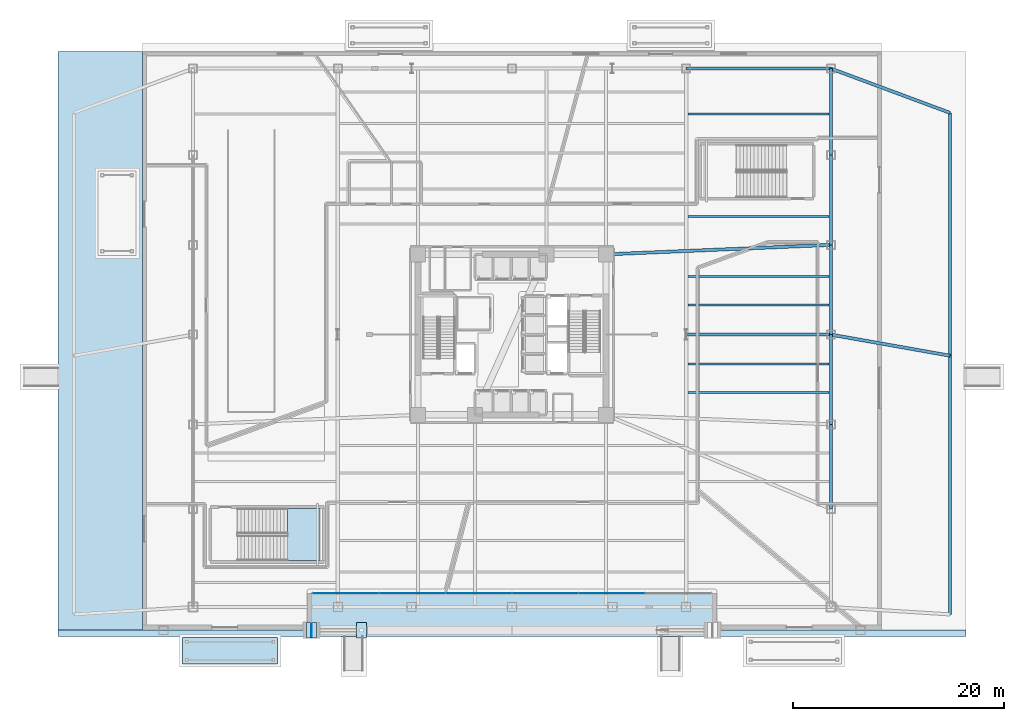
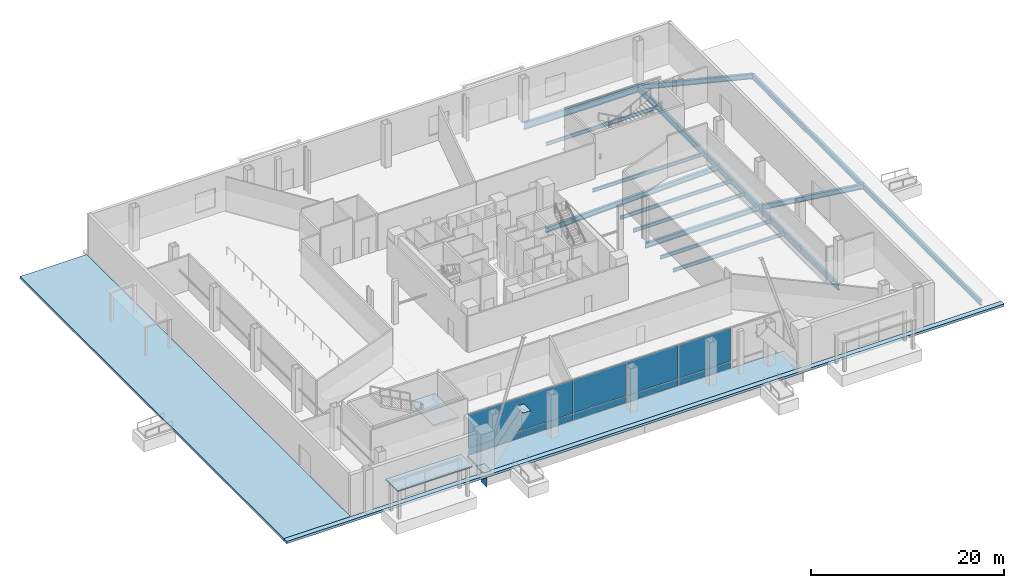
# One storey, part 11 of 27: 18 beams, 13 plates, 5 slabs, 2 elements without a shape of their own.
"""IFC4 building model written with IfcOpenShell, lengths in metres."""

from ifc_helpers import new_model, si_unit, direction, frame, origin, origin_2d, place, context, subcontext, project, spatial, polyline, rectangle, i_section, outline, extrude, material, layer, layer_set, material_profile, profile_set, type_object, element, aggregate, save


model = new_model("IFC4")

# Units and contexts
model_context = context("Model", 3, precision=1e-05, world=origin(), true_north=direction((0.0, 1.0)))
body_context = subcontext(model_context, "Body", "Model", "MODEL_VIEW")
ifc_project = project(units=[si_unit("LENGTHUNIT", "METRE"), si_unit("AREAUNIT", "SQUARE_METRE"), si_unit("VOLUMEUNIT", "CUBIC_METRE"), si_unit("PLANEANGLEUNIT", "RADIAN"), si_unit("MASSUNIT", "GRAM", prefix="KILO")], contexts=[model_context])

# Site, building, storey
site_placement = place(None, origin())
site = spatial("IfcSite", under=ifc_project, at=site_placement, CompositionType="ELEMENT")
building_placement = place(site_placement, origin())
building = spatial("IfcBuilding", under=site, at=building_placement, Name="Tharavind Bronze Gate", CompositionType="ELEMENT")
storey_placement = place(building_placement, origin())
storey = spatial("IfcBuildingStorey", under=building, at=storey_placement, Name="L00", CompositionType="ELEMENT", Elevation=0.0)

# Beams
ifc_material_1 = material(Name="Steel S355", Category="steel")
ifc_material_profile_1 = material_profile(ifc_material_1, i_section(OverallWidth=0.300048828125, OverallDepth=0.64990234375, WebThickness=0.01611328125, FlangeThickness=0.031005859375, at=origin_2d()), Name="HE650B")
ifc_profile_set_1 = profile_set([ifc_material_profile_1], Name="Steel S355")
beam_type_1 = type_object("IfcBeamType", Name="PRIMARY GIRDER HE650B", PredefinedType="USERDEFINED", material=ifc_profile_set_1)
beam_1_placement = place(storey_placement, frame((30.199951171875, 0.0, -0.625), z_axis=(0.984695836534, -0.17428169586, 0.0), x_axis=(0.17428169586, 0.984695836534, 0.0)))
element("IfcBeam", 1, at=beam_1_placement, inside=storey, type_object=beam_type_1, Name="L00 primary girder he650b BM-L00-BEX33", ObjectType="GIRDER", PredefinedType="USERDEFINED", context=body_context, shape_type="SweptSolid", body=[
    extrude(i_section(OverallWidth=0.300048828125, OverallDepth=0.64990234375, WebThickness=0.01611328125, FlangeThickness=0.031005859375, at=origin_2d()), origin(), (0.0, 0.0, 1.0), 11.4755859375),
])
beam_2_placement = place(storey_placement, frame((30.199951171875, 25.199951171875, -0.625), z_axis=(0.937349705603, -0.348389910024, 0.0), x_axis=(0.348389910024, 0.937349705603, 0.0)))
element("IfcBeam", 2, at=beam_2_placement, inside=storey, type_object=beam_type_1, Name="L00 primary girder he650b BM-L00-BEX56", ObjectType="GIRDER", PredefinedType="USERDEFINED", context=body_context, shape_type="SweptSolid", body=[
    extrude(i_section(OverallWidth=0.300048828125, OverallDepth=0.64990234375, WebThickness=0.01611328125, FlangeThickness=0.031005859375, at=origin_2d()), origin(), (0.0, 0.0, 1.0), 12.055419921875),
])
beam_3_placement = place(storey_placement, frame((41.5, -26.5, -0.625), z_axis=(0.0, 1.0, 0.0), x_axis=(-1.0, 0.0, 0.0)))
element("IfcBeam", 3, at=beam_3_placement, inside=storey, type_object=beam_type_1, Name="L00 primary girder he650b BM-L00-BES1", ObjectType="GIRDER", PredefinedType="USERDEFINED", context=body_context, shape_type="SweptSolid", body=[
    extrude(i_section(OverallWidth=0.300048828125, OverallDepth=0.64990234375, WebThickness=0.01611328125, FlangeThickness=0.031005859375, at=origin_2d()), origin(), (0.0, 0.0, 1.0), 24.5),
])
beam_4_placement = place(storey_placement, frame((41.5, -2.0, -0.625), z_axis=(0.0, 1.0, 0.0), x_axis=(-1.0, 0.0, 0.0)))
element("IfcBeam", 4, at=beam_4_placement, inside=storey, type_object=beam_type_1, Name="L00 primary girder he650b BM-L00-BEN1", ObjectType="GIRDER", PredefinedType="USERDEFINED", context=body_context, shape_type="SweptSolid", body=[
    extrude(i_section(OverallWidth=0.300048828125, OverallDepth=0.64990234375, WebThickness=0.01611328125, FlangeThickness=0.031005859375, at=origin_2d()), origin(), (0.0, 0.0, 1.0), 23.0),
])
beam_5_placement = place(storey_placement, frame((30.199951171875, 8.5, -0.625), z_axis=(-0.999108710794, -0.04221118354, 0.0), x_axis=(0.04221118354, -0.999108710794, 0.0)))
element("IfcBeam", 5, at=beam_5_placement, inside=storey, type_object=beam_type_1, Name="L00 primary girder he650b BM-L00-GE2", ObjectType="GIRDER", PredefinedType="USERDEFINED", context=body_context, shape_type="SweptSolid", body=[
    extrude(i_section(OverallWidth=0.300048828125, OverallDepth=0.64990234375, WebThickness=0.01611328125, FlangeThickness=0.031005859375, at=origin_2d()), origin(), (0.0, 0.0, 1.0), 21.319091796875),
])
beam_6_placement = place(storey_placement, frame((30.199951171875, 0.0, -0.625), z_axis=(-1.0, 0.0, 0.0), x_axis=(0.0, -1.0, 0.0)))
element("IfcBeam", 6, at=beam_6_placement, inside=storey, type_object=beam_type_1, Name="L00 primary girder he650b BM-L00-GE3", ObjectType="GIRDER", PredefinedType="USERDEFINED", context=body_context, shape_type="SweptSolid", body=[
    extrude(i_section(OverallWidth=0.300048828125, OverallDepth=0.64990234375, WebThickness=0.01611328125, FlangeThickness=0.031005859375, at=origin_2d()), origin(), (0.0, 0.0, 1.0), 13.699951171875),
])
ifc_material_profile_2 = material_profile(ifc_material_1, i_section(OverallWidth=0.300048828125, OverallDepth=0.800048828125, WebThickness=0.017578125, FlangeThickness=0.032958984375, at=origin_2d()), Name="HE800B")
ifc_profile_set_2 = profile_set([ifc_material_profile_2], Name="Steel S355")
beam_type_2 = type_object("IfcBeamType", Name="RING GIRDER HE800B", PredefinedType="USERDEFINED", material=ifc_profile_set_2)
beam_7_placement = place(storey_placement, frame((30.199951171875, -16.5, -0.699951171875), z_axis=(0.0, 1.0, 0.0), x_axis=(-1.0, 0.0, 0.0)))
element("IfcBeam", 7, at=beam_7_placement, inside=storey, type_object=beam_type_2, Name="L00 ring girder he800b BM-L00-PE2", ObjectType="GIRDER", PredefinedType="USERDEFINED", context=body_context, shape_type="SweptSolid", body=[
    extrude(i_section(OverallWidth=0.300048828125, OverallDepth=0.800048828125, WebThickness=0.017578125, FlangeThickness=0.032958984375, at=origin_2d()), origin(), (0.0, 0.0, 1.0), 8.0),
])
for number, where, z_axis, x_axis, name in (
    (8, (30.199951171875, -8.5, -0.699951171875), (0.0, 1.0, 0.0), (-1.0, 0.0, 0.0), "L00 ring girder he800b BM-L00-PE3"),
    (9, (30.199951171875, 0.0, -0.699951171875), (0.0, 1.0, 0.0), (-1.0, 0.0, 0.0), "L00 ring girder he800b BM-L00-PE4"),
    (10, (30.199951171875, 8.5, -0.699951171875), (0.0, 1.0, 0.0), (-1.0, 0.0, 0.0), "L00 ring girder he800b BM-L00-PE5"),
):
    element("IfcBeam", number, at=place(storey_placement, frame(where, z_axis=z_axis, x_axis=x_axis)), inside=storey, type_object=beam_type_2, Name=name, ObjectType="GIRDER", PredefinedType="USERDEFINED", context=body_context, shape_type="SweptSolid", body=[
        extrude(i_section(OverallWidth=0.300048828125, OverallDepth=0.800048828125, WebThickness=0.017578125, FlangeThickness=0.032958984375, at=origin_2d()), origin(), (0.0, 0.0, 1.0), 8.5),
    ])
beam_8_placement = place(storey_placement, frame((30.199951171875, 17.0, -0.699951171875), z_axis=(0.0, 1.0, 0.0), x_axis=(-1.0, 0.0, 0.0)))
element("IfcBeam", 11, at=beam_8_placement, inside=storey, type_object=beam_type_2, Name="L00 ring girder he800b BM-L00-PE6", ObjectType="GIRDER", PredefinedType="USERDEFINED", context=body_context, shape_type="SweptSolid", body=[
    extrude(i_section(OverallWidth=0.300048828125, OverallDepth=0.800048828125, WebThickness=0.017578125, FlangeThickness=0.032958984375, at=origin_2d()), origin(), (0.0, 0.0, 1.0), 8.199951171875),
])
ifc_material_profile_3 = material_profile(ifc_material_1, i_section(OverallWidth=0.18994140625, OverallDepth=0.449951171875, WebThickness=0.009521484375, FlangeThickness=0.0146484375, at=origin_2d()), Name="IPE450")
ifc_profile_set_3 = profile_set([ifc_material_profile_3], Name="Steel S355")
beam_type_3 = type_object("IfcBeamType", Name="SECONDARY FLOOR JOIST IPE450", PredefinedType="JOIST", material=ifc_profile_set_3)
for number, where, z_axis, x_axis, name in (
    (12, (16.652099609375, -5.5, -0.52490234375), (1.0, 0.0, 0.0), (0.0, 1.0, 0.0), "L00 secondary floor joist ipe450 BM-L00-JSEE4"),
    (13, (16.652099609375, -2.800048828125, -0.52490234375), (1.0, 0.0, 0.0), (0.0, 1.0, 0.0), "L00 secondary floor joist ipe450 BM-L00-JSEE5"),
    (14, (16.652099609375, 2.800048828125, -0.52490234375), (1.0, 0.0, 0.0), (0.0, 1.0, 0.0), "L00 secondary floor joist ipe450 BM-L00-JSEE6"),
    (15, (16.652099609375, 5.5, -0.52490234375), (1.0, 0.0, 0.0), (0.0, 1.0, 0.0), "L00 secondary floor joist ipe450 BM-L00-JSEE7"),
    (16, (16.652099609375, 11.199951171875, -0.52490234375), (1.0, 0.0, 0.0), (0.0, 1.0, 0.0), "L00 secondary floor joist ipe450 BM-L00-JSEE8"),
    (17, (16.652099609375, 20.89990234375, -0.52490234375), (1.0, 0.0, 0.0), (0.0, 1.0, 0.0), "L00 secondary floor joist ipe450 BM-L00-JSEE9"),
):
    element("IfcBeam", number, at=place(storey_placement, frame(where, z_axis=z_axis, x_axis=x_axis)), inside=storey, type_object=beam_type_3, Name=name, PredefinedType="JOIST", context=body_context, shape_type="SweptSolid", body=[
        extrude(i_section(OverallWidth=0.18994140625, OverallDepth=0.449951171875, WebThickness=0.009521484375, FlangeThickness=0.0146484375, at=origin_2d()), origin(), (0.0, 0.0, 1.0), 13.387939453125),
    ])
ifc_material_profile_4 = material_profile(ifc_material_1, i_section(OverallWidth=0.300048828125, OverallDepth=0.89990234375, WebThickness=0.0185546875, FlangeThickness=0.034912109375, at=origin_2d()), Name="HE900B")
ifc_profile_set_4 = profile_set([ifc_material_profile_4], Name="Steel S355")
beam_type_4 = type_object("IfcBeamType", Name="SPANDREL RING BEAM HE900B", PredefinedType="SPANDREL", material=ifc_profile_set_4)
beam_9_placement = place(storey_placement, frame((16.5, 25.199951171875, -0.75), z_axis=(1.0, 0.0, 0.0), x_axis=(0.0, 1.0, 0.0)))
element("IfcBeam", 18, at=beam_9_placement, inside=storey, type_object=beam_type_4, Name="L00 spandrel ring beam he900b BM-L00-PN6", PredefinedType="SPANDREL", context=body_context, shape_type="SweptSolid", body=[
    extrude(i_section(OverallWidth=0.300048828125, OverallDepth=0.89990234375, WebThickness=0.0185546875, FlangeThickness=0.034912109375, at=origin_2d()), origin(), (0.0, 0.0, 1.0), 13.699951171875),
])

# Curtain wall, plates
ifc_material_2 = material(Name="Anodised Bronze Aluminium", Category="aluminium")
ifc_layer_1 = layer(ifc_material_2, 0.219970703125)
ifc_layer_set_1 = layer_set([ifc_layer_1], Name="Anodised Bronze Aluminium")
curtain_wall_type = type_object("IfcCurtainWallType", Name="UNITISED CURTAIN WALL PODIUM", PredefinedType="USERDEFINED", material=ifc_layer_set_1)
curtain_wall_placement = place(storey_placement, origin())
curtain_wall = element("IfcCurtainWall", 19, at=curtain_wall_placement, inside=storey, type_object=curtain_wall_type, Name="L00 unitised curtain wall podium CW-L00-ARCH", ObjectType="UNITISED CURTAIN WALL", PredefinedType="USERDEFINED")
ifc_material_3 = material(Name="Patinated Bronze Alloy Sheet", Category="bronze")
ifc_layer_2 = layer(ifc_material_3, 0.01611328125)
ifc_layer_set_2 = layer_set([ifc_layer_2], Name="Patinated Bronze Alloy Sheet")
plate_type_1 = type_object("IfcPlateType", Name="BRONZE SPANDREL CLADDING PANEL 16", PredefinedType="CURTAIN_PANEL", material=ifc_layer_set_2)
plate_1_placement = place(storey_placement, frame((-15.75, -24.5, 0.033935546875), z_axis=(0.0, 0.0, 1.0), x_axis=(1.0, 0.0, 0.0)))
plate_1 = element("IfcPlate", 20, at=plate_1_placement, type_object=plate_type_1, Name="CW-L00-ARCH bronze spandrel panel 1", PredefinedType="CURTAIN_PANEL", context=body_context, shape_type="SweptSolid", body=[
    extrude(rectangle(XDim=6.23193359375, YDim=0.01611328125, at=origin_2d()), origin(), (0.0, 0.0, 1.0), 0.83203125),
])
plate_2_placement = place(storey_placement, frame((-9.449951171875, -24.5, 0.033935546875), z_axis=(0.0, 0.0, 1.0), x_axis=(1.0, 0.0, 0.0)))
plate_2 = element("IfcPlate", 21, at=plate_2_placement, type_object=plate_type_1, Name="CW-L00-ARCH bronze spandrel panel 2", PredefinedType="CURTAIN_PANEL", context=body_context, shape_type="SweptSolid", body=[
    extrude(rectangle(XDim=6.23193359375, YDim=0.01611328125, at=origin_2d()), origin(), (0.0, 0.0, 1.0), 0.83203125),
])
plate_3_placement = place(storey_placement, frame((-3.14990234375, -24.5, 0.033935546875), z_axis=(0.0, 0.0, 1.0), x_axis=(1.0, 0.0, 0.0)))
plate_3 = element("IfcPlate", 22, at=plate_3_placement, type_object=plate_type_1, Name="CW-L00-ARCH bronze spandrel panel 3", PredefinedType="CURTAIN_PANEL", context=body_context, shape_type="SweptSolid", body=[
    extrude(rectangle(XDim=6.23193359375, YDim=0.01611328125, at=origin_2d()), origin(), (0.0, 0.0, 1.0), 0.83203125),
])
plate_4_placement = place(storey_placement, frame((3.14990234375, -24.5, 0.033935546875), z_axis=(0.0, 0.0, 1.0), x_axis=(1.0, 0.0, 0.0)))
plate_4 = element("IfcPlate", 23, at=plate_4_placement, type_object=plate_type_1, Name="CW-L00-ARCH bronze spandrel panel 4", PredefinedType="CURTAIN_PANEL", context=body_context, shape_type="SweptSolid", body=[
    extrude(rectangle(XDim=6.23193359375, YDim=0.01611328125, at=origin_2d()), origin(), (0.0, 0.0, 1.0), 0.83203125),
])
plate_5_placement = place(storey_placement, frame((9.449951171875, -24.5, 0.033935546875), z_axis=(0.0, 0.0, 1.0), x_axis=(1.0, 0.0, 0.0)))
plate_5 = element("IfcPlate", 24, at=plate_5_placement, type_object=plate_type_1, Name="CW-L00-ARCH bronze spandrel panel 5", PredefinedType="CURTAIN_PANEL", context=body_context, shape_type="SweptSolid", body=[
    extrude(rectangle(XDim=6.23193359375, YDim=0.01611328125, at=origin_2d()), origin(), (0.0, 0.0, 1.0), 0.83203125),
])

# Slab
ifc_material_4 = material(Name="Concrete C40/50", Category="concrete")
ifc_layer_3 = layer(ifc_material_4, 0.14990234375)
ifc_layer_set_3 = layer_set([ifc_layer_3], Name="Concrete C40/50")
slab_type_1 = type_object("IfcSlabType", Name="CANOPY ROOF SLAB 150", PredefinedType="ROOF", material=ifc_layer_set_3)
slab_1_placement = place(storey_placement, frame((0.0, 0.0, 3.699951171875)))
element("IfcSlab", 25, at=slab_1_placement, inside=storey, type_object=slab_type_1, Name="L00 entrance canopy roof slab CN1", PredefinedType="ROOF", context=body_context, shape_type="SweptSolid", body=[
    extrude(outline(polyline([(-31.199951171875, -31.199951171875), (-22.199951171875, -31.199951171875), (-22.199951171875, -28.699951171875), (-31.199951171875, -28.699951171875), (-31.199951171875, -31.199951171875)])), origin(), (0.0, 0.0, 1.0), 0.150146484375),
])

# Plate
ifc_material_5 = material(Name="Low-E Double Glazing", Category="glass")
ifc_layer_4 = layer(ifc_material_5, 0.031982421875)
ifc_layer_set_4 = layer_set([ifc_layer_4], Name="Low-E Double Glazing")
plate_type_2 = type_object("IfcPlateType", Name="DOUBLE GLAZED FACADE PANEL 32", PredefinedType="CURTAIN_PANEL", material=ifc_layer_set_4)
plate_6_placement = place(storey_placement, frame((-15.75, -24.5, 0.93408203125), z_axis=(0.0, 0.0, 1.0), x_axis=(1.0, 0.0, 0.0)))
plate_6 = element("IfcPlate", 26, at=plate_6_placement, type_object=plate_type_2, Name="CW-L00-ARCH vision glazing panel 1", PredefinedType="CURTAIN_PANEL", context=body_context, shape_type="SweptSolid", body=[
    extrude(rectangle(XDim=6.23193359375, YDim=0.031982421875, at=origin_2d()), origin(), (0.0, 0.0, 1.0), 4.251953125),
])

plate_7_placement = place(storey_placement, frame((-9.449951171875, -24.5, 0.93408203125), z_axis=(0.0, 0.0, 1.0), x_axis=(1.0, 0.0, 0.0)))
plate_7 = element("IfcPlate", 27, at=plate_7_placement, type_object=plate_type_2, Name="CW-L00-ARCH vision glazing panel 2", PredefinedType="CURTAIN_PANEL", context=body_context, shape_type="SweptSolid", body=[
    extrude(rectangle(XDim=6.23193359375, YDim=0.031982421875, at=origin_2d()), origin(), (0.0, 0.0, 1.0), 4.251953125),
])

plate_8_placement = place(storey_placement, frame((-3.14990234375, -24.5, 0.93408203125), z_axis=(0.0, 0.0, 1.0), x_axis=(1.0, 0.0, 0.0)))
plate_8 = element("IfcPlate", 28, at=plate_8_placement, type_object=plate_type_2, Name="CW-L00-ARCH vision glazing panel 3", PredefinedType="CURTAIN_PANEL", context=body_context, shape_type="SweptSolid", body=[
    extrude(rectangle(XDim=6.23193359375, YDim=0.031982421875, at=origin_2d()), origin(), (0.0, 0.0, 1.0), 4.251953125),
])

plate_9_placement = place(storey_placement, frame((3.14990234375, -24.5, 0.93408203125), z_axis=(0.0, 0.0, 1.0), x_axis=(1.0, 0.0, 0.0)))
plate_9 = element("IfcPlate", 29, at=plate_9_placement, type_object=plate_type_2, Name="CW-L00-ARCH vision glazing panel 4", PredefinedType="CURTAIN_PANEL", context=body_context, shape_type="SweptSolid", body=[
    extrude(rectangle(XDim=6.23193359375, YDim=0.031982421875, at=origin_2d()), origin(), (0.0, 0.0, 1.0), 4.251953125),
])

plate_10_placement = place(storey_placement, frame((9.449951171875, -24.5, 0.93408203125), z_axis=(0.0, 0.0, 1.0), x_axis=(1.0, 0.0, 0.0)))
plate_10 = element("IfcPlate", 30, at=plate_10_placement, type_object=plate_type_2, Name="CW-L00-ARCH vision glazing panel 5", PredefinedType="CURTAIN_PANEL", context=body_context, shape_type="SweptSolid", body=[
    extrude(rectangle(XDim=6.23193359375, YDim=0.031982421875, at=origin_2d()), origin(), (0.0, 0.0, 1.0), 4.251953125),
])

aggregate(curtain_wall, [plate_1, plate_6, plate_2, plate_7, plate_3, plate_8, plate_4, plate_9, plate_5, plate_10])

# Slabs
ifc_layer_5 = layer(ifc_material_4, 0.300048828125)
ifc_layer_set_5 = layer_set([ifc_layer_5], Name="Concrete C40/50")
slab_type_2 = type_object("IfcSlabType", Name="EXTERIOR TERRACE SLAB 300", PredefinedType="FLOOR", material=ifc_layer_set_5)
slab_2_placement = place(storey_placement, frame((0.0, 0.0, -0.300048828125)))
element("IfcSlab", 31, at=slab_2_placement, inside=storey, type_object=slab_type_2, Name="L00 bronze arch arrival plaza terrace W", PredefinedType="FLOOR", context=body_context, shape_type="SweptSolid", body=[
    extrude(outline(polyline([(-43.0, -28.0), (-35.0, -28.0), (-35.0, 26.800048828125), (-43.0, 26.800048828125), (-43.0, -28.0)])), origin(), (0.0, 0.0, 1.0), 0.300048828125),
])
slab_3_placement = place(storey_placement, frame((0.0, 0.0, -0.300048828125)))
element("IfcSlab", 32, at=slab_3_placement, inside=storey, type_object=slab_type_2, Name="L00 bronze arch arrival plaza terrace SW", PredefinedType="FLOOR", context=body_context, shape_type="SweptSolid", body=[
    extrude(outline(polyline([(-43.0, -28.60009765625), (43.0, -28.60009765625), (43.0, -28.0), (-43.0, -28.0), (-43.0, -28.60009765625)])), origin(), (0.0, 0.0, 1.0), 0.300048828125),
])
slab_4_placement = place(storey_placement, frame((0.0, 0.0, -0.300048828125)))
element("IfcSlab", 33, at=slab_4_placement, inside=storey, type_object=slab_type_2, Name="L00 bronze arch arrival plaza terrace ARC", PredefinedType="FLOOR", context=body_context, shape_type="SweptSolid", body=[
    extrude(outline(polyline([(-19.0, -28.0), (19.0, -28.0), (19.0, -24.5), (-19.0, -24.5), (-19.0, -28.0)])), origin(), (0.0, 0.0, 1.0), 0.300048828125),
])

# Stair, slab
stair_type = type_object("IfcStairType", Name="PODIUM HALF TURN STAIR 2400", PredefinedType="HALF_TURN_STAIR", material=ifc_material_4)
stair_placement = place(storey_placement, origin())
stair = element("IfcStair", 34, at=stair_placement, inside=storey, type_object=stair_type, Name="L00 Protected Exit Stair ST3", PredefinedType="HALF_TURN_STAIR")
ifc_layer_6 = layer(ifc_material_4, 0.199951171875)
ifc_layer_set_6 = layer_set([ifc_layer_6], Name="Concrete C40/50")
slab_type_3 = type_object("IfcSlabType", Name="STAIR LANDING SLAB 200", PredefinedType="LANDING", material=ifc_layer_set_6)
slab_5_placement = place(storey_placement, frame((0.0, 0.0, 2.550048828125)))
slab_5 = element("IfcSlab", 35, at=slab_5_placement, type_object=slab_type_3, Name="ST3 landing 1", PredefinedType="LANDING", context=body_context, shape_type="SweptSolid", body=[
    extrude(outline(polyline([(-21.239990234375, -21.39990234375), (-18.199951171875, -21.39990234375), (-18.199951171875, -16.449951171875), (-21.239990234375, -16.449951171875), (-21.239990234375, -21.39990234375)])), origin(), (0.0, 0.0, 1.0), 0.199951171875),
])
aggregate(stair, [slab_5])

# Plates
ifc_material_6 = material(Name="Steel S460", Category="steel")
ifc_layer_7 = layer(ifc_material_6, 0.02490234375)
ifc_layer_set_7 = layer_set([ifc_layer_7], Name="Steel S460")
plate_type_3 = type_object("IfcPlateType", Name="STEEL END CAP SHEET 25", PredefinedType="SHEET", material=ifc_layer_set_7)
plate_11_placement = place(storey_placement, frame((-19.0, -28.0, -1.5224609375), z_axis=(0.0, 0.0, 1.0), x_axis=(1.0, 0.0, 0.0)))
element("IfcPlate", 36, at=plate_11_placement, inside=storey, type_object=plate_type_3, Name="Steel end cap plate CAP-ARCH-TIE-W", PredefinedType="SHEET", context=body_context, shape_type="SweptSolid", body=[
    extrude(rectangle(XDim=0.0400390625, YDim=1.2451171875, at=origin_2d()), origin(), (0.0, 0.0, 1.0), 1.2451171875),
])
for number, where, z_axis, x_axis, name in (
    (37, (-19.0, -28.0, 0.487548828125), (0.0, 0.0, 1.0), (1.0, 0.0, 0.0), "Steel end cap plate CAP-ARCH-R1A"),
    (38, (-14.25, -28.0, 6.41552734375), (0.0, 0.0, 1.0), (1.0, 0.0, 0.0), "Steel end cap plate CAP-ARCH-R1B"),
):
    element("IfcPlate", number, at=place(storey_placement, frame(where, z_axis=z_axis, x_axis=x_axis)), inside=storey, type_object=plate_type_3, Name=name, PredefinedType="SHEET", context=body_context, shape_type="SweptSolid", body=[
        extrude(rectangle(XDim=0.945068359375, YDim=1.445068359375, at=origin_2d()), origin(), (0.0, 0.0, 1.0), 0.02490234375),
    ])

save(model, "model.ifc")
